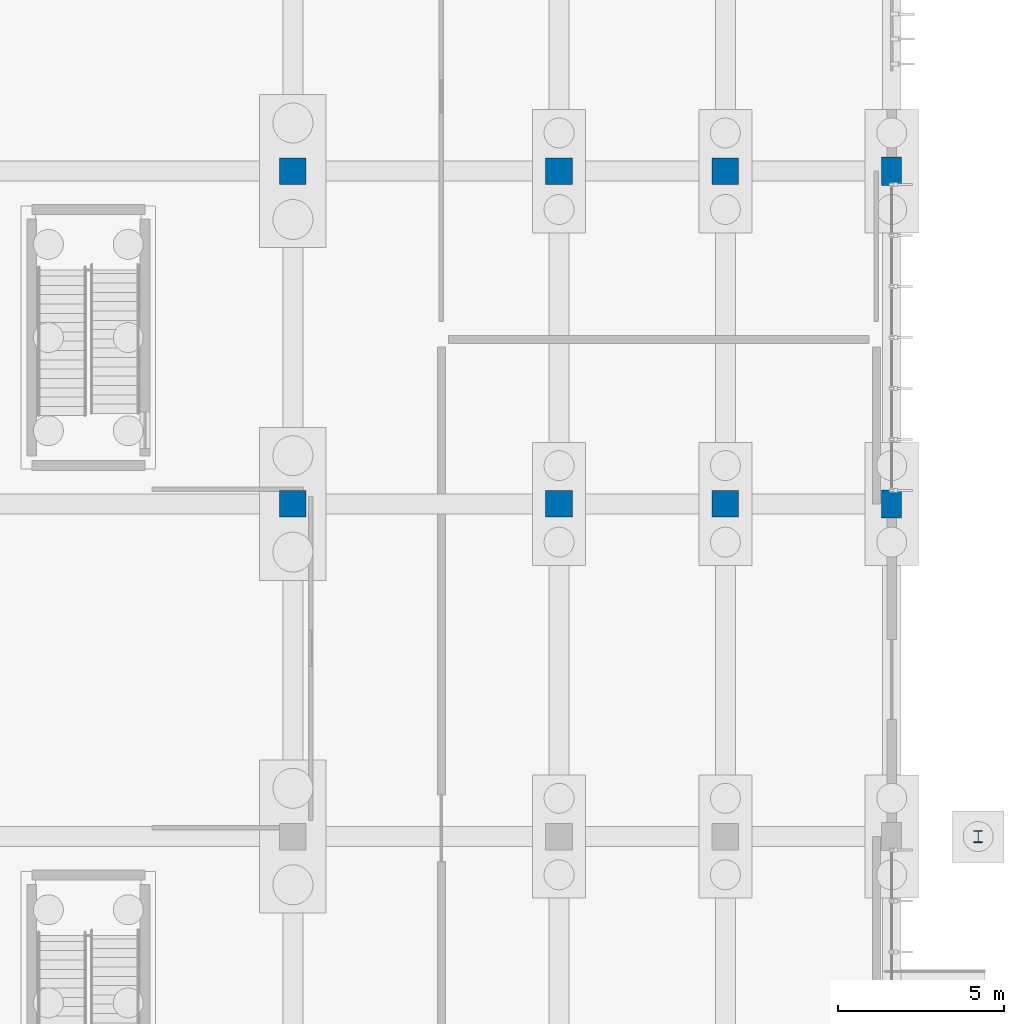
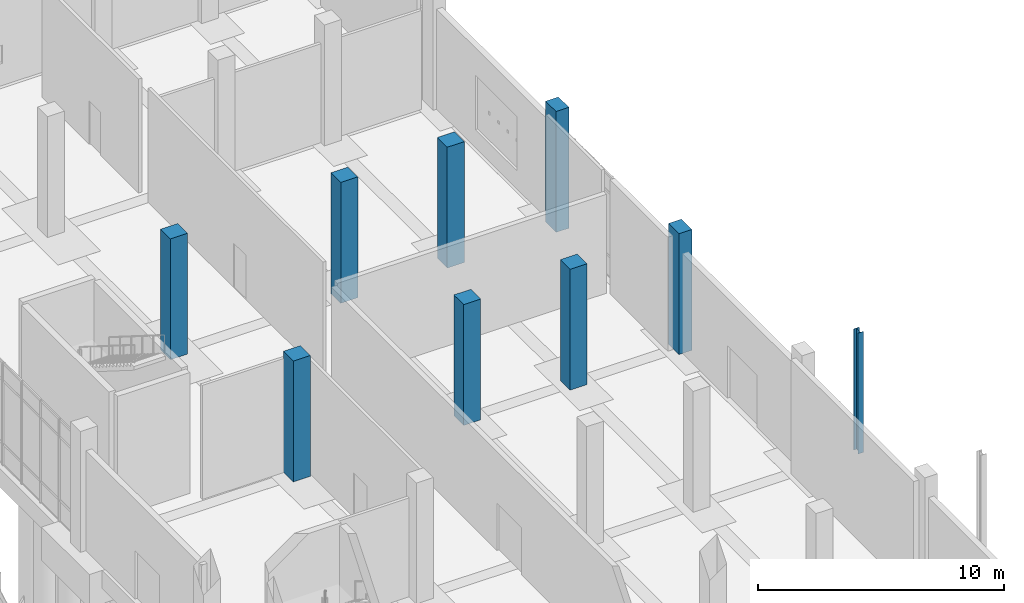
# One storey, part 29 of 140: 9 columns.
"""IFC4 building model written with IfcOpenShell, lengths in metres."""

from ifc_helpers import new_model, si_unit, direction, frame, origin, origin_2d, place, context, subcontext, project, spatial, rectangle, i_section, extrude, material, material_profile, profile_set, type_object, element, save


model = new_model("IFC4")

# Units and contexts
model_context = context("Model", 3, precision=1e-05, world=origin(), true_north=direction((0.0, 1.0)))
body_context = subcontext(model_context, "Body", "Model", "MODEL_VIEW")
ifc_project = project(units=[si_unit("LENGTHUNIT", "METRE"), si_unit("AREAUNIT", "SQUARE_METRE"), si_unit("VOLUMEUNIT", "CUBIC_METRE"), si_unit("PLANEANGLEUNIT", "RADIAN"), si_unit("MASSUNIT", "GRAM", prefix="KILO")], contexts=[model_context])

# Site, building, storey
site_placement = place(None, origin())
site = spatial("IfcSite", under=ifc_project, at=site_placement, CompositionType="ELEMENT")
building_placement = place(site_placement, origin())
building = spatial("IfcBuilding", under=site, at=building_placement, Name="Corvandel Quay Wholesale Market", CompositionType="ELEMENT")
storey_placement = place(building_placement, origin())
storey = spatial("IfcBuildingStorey", under=building, at=storey_placement, Name="L00", CompositionType="ELEMENT", Elevation=0.0)

# Columns
ifc_material_1 = material(Name="Precast concrete C45/55", Category="concrete")
ifc_material_profile_1 = material_profile(ifc_material_1, rectangle(XDim=0.60009765625, YDim=0.85009765625, at=origin_2d()), Name="PC-COL-600x850")
ifc_profile_set_1 = profile_set([ifc_material_profile_1], Name="Precast concrete C45/55")
column_type_1 = type_object("IfcColumnType", Name="Colonnade Pier C08 600x850", PredefinedType="COLUMN", material=ifc_profile_set_1)
for number, where, z_axis, x_axis, name in (
    (1, (248.0, 80.0, 0.0), (0.0, 0.0, 1.0), (1.0, 0.0, 0.0), "Column COL-0936"),
    (2, (248.0, 90.0, 0.0), (0.0, 0.0, 1.0), (1.0, 0.0, 0.0), "Column COL-0938"),
):
    element("IfcColumn", number, at=place(storey_placement, frame(where, z_axis=z_axis, x_axis=x_axis)), inside=storey, type_object=column_type_1, Name=name, PredefinedType="COLUMN", context=body_context, shape_type="SweptSolid", body=[
        extrude(rectangle(XDim=0.60009765625, YDim=0.85009765625, at=origin_2d()), origin(), (0.0, 0.0, 1.0), 6.0),
    ])
ifc_material_profile_2 = material_profile(ifc_material_1, rectangle(XDim=0.800048828125, YDim=0.800048828125, at=origin_2d()), Name="PC-COL-800x800")
ifc_profile_set_2 = profile_set([ifc_material_profile_2], Name="Precast concrete C45/55")
column_type_2 = type_object("IfcColumnType", Name="Precast Column C02 800x800", PredefinedType="COLUMN", material=ifc_profile_set_2)
for number, where, z_axis, x_axis, name in (
    (3, (230.0, 80.0, 0.0), (0.0, 0.0, 1.0), (1.0, 0.0, 0.0), "Column COL-0839"),
    (4, (230.0, 90.0, 0.0), (0.0, 0.0, 1.0), (1.0, 0.0, 0.0), "Column COL-0843"),
    (5, (238.0, 80.0, 0.0), (0.0, 0.0, 1.0), (1.0, 0.0, 0.0), "Column COL-0879"),
    (6, (238.0, 90.0, 0.0), (0.0, 0.0, 1.0), (1.0, 0.0, 0.0), "Column COL-0883"),
    (7, (243.0, 80.0, 0.0), (0.0, 0.0, 1.0), (1.0, 0.0, 0.0), "Column COL-0912"),
    (8, (243.0, 90.0, 0.0), (0.0, 0.0, 1.0), (1.0, 0.0, 0.0), "Column COL-0915"),
):
    element("IfcColumn", number, at=place(storey_placement, frame(where, z_axis=z_axis, x_axis=x_axis)), inside=storey, type_object=column_type_2, Name=name, PredefinedType="COLUMN", context=body_context, shape_type="SweptSolid", body=[
        extrude(rectangle(XDim=0.800048828125, YDim=0.800048828125, at=origin_2d()), origin(), (0.0, 0.0, 1.0), 6.0),
    ])
ifc_material_2 = material(Name="Steel A992 Grade 50", Category="steel")
ifc_material_profile_3 = material_profile(ifc_material_2, i_section(OverallWidth=0.2548828125, OverallDepth=0.35693359375, WebThickness=0.010498046875, FlangeThickness=0.018310546875, at=origin_2d()), Name="W14X68")
ifc_profile_set_3 = profile_set([ifc_material_profile_3], Name="Steel A992 Grade 50")
column_type_3 = type_object("IfcColumnType", Name="Steel Canopy Column C13 W14X68", PredefinedType="COLUMN", material=ifc_profile_set_3)
column_placement = place(storey_placement, frame((250.60009765625, 70.0, 0.0), z_axis=(0.0, 0.0, 1.0), x_axis=(1.0, 0.0, 0.0)))
element("IfcColumn", 9, at=column_placement, inside=storey, type_object=column_type_3, Name="Column COL-0946", PredefinedType="COLUMN", context=body_context, shape_type="SweptSolid", body=[
    extrude(i_section(OverallWidth=0.2548828125, OverallDepth=0.35693359375, WebThickness=0.010498046875, FlangeThickness=0.018310546875, at=origin_2d()), origin(), (0.0, 0.0, 1.0), 6.0),
])

save(model, "model.ifc")
